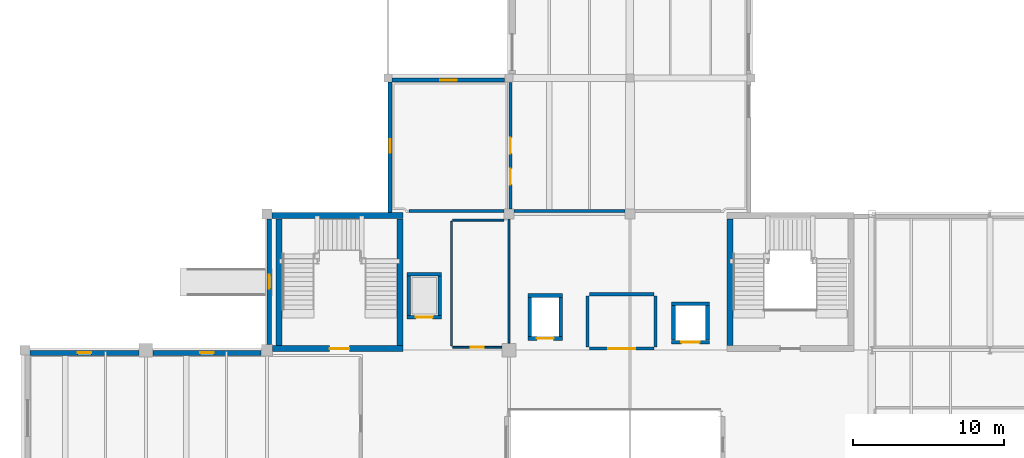
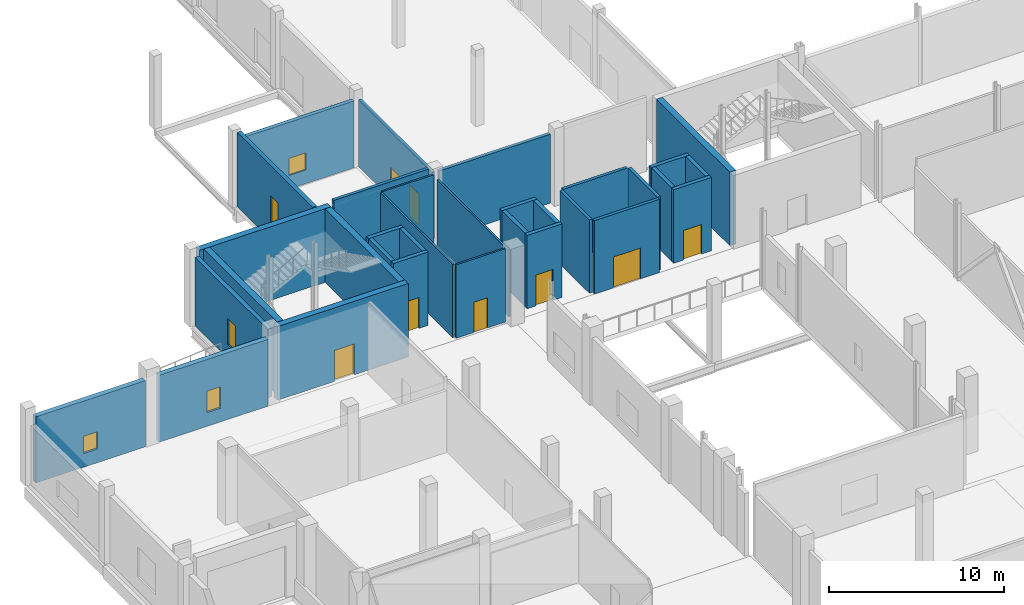
# One storey, part 44 of 57: 33 walls, 8 doors, 5 windows, 13 openings.
"""IFC4 building model written with IfcOpenShell, lengths in metres."""

from ifc_helpers import new_model, si_unit, derived_unit, direction, frame, frame_2d, origin, place, context, subcontext, project, spatial, rectangle, extrude, material, layer, layer_set, type_object, element, fill, save


model = new_model("IFC4")

# Units and contexts
model_context = context("Model", 3, precision=1e-05, world=origin(), true_north=direction((0.0, 1.0)))
body_context = subcontext(model_context, "Body", "Model", "MODEL_VIEW")
ifc_project = project(units=[si_unit("LENGTHUNIT", "METRE"), si_unit("AREAUNIT", "SQUARE_METRE"), si_unit("VOLUMEUNIT", "CUBIC_METRE"), si_unit("PLANEANGLEUNIT", "RADIAN"), si_unit("MASSUNIT", "GRAM", prefix="KILO"), derived_unit("THERMALTRANSMITTANCEUNIT", [(si_unit("POWERUNIT", "WATT"), 1), (si_unit("LENGTHUNIT", "METRE"), -2), (si_unit("THERMODYNAMICTEMPERATUREUNIT", "KELVIN"), -1)])], contexts=[model_context])

# Site, building, storey
site_placement = place(None, origin())
site = spatial("IfcSite", under=ifc_project, at=site_placement, CompositionType="ELEMENT")
building_placement = place(site_placement, origin())
building = spatial("IfcBuilding", under=site, at=building_placement, Name="Nallur Shell Playhouse", CompositionType="ELEMENT")
storey_placement = place(building_placement, origin())
storey = spatial("IfcBuildingStorey", under=building, at=storey_placement, Name="L01", CompositionType="ELEMENT", Elevation=0.0)

# Wall
ifc_material_1 = material(Name="Concrete M45", Category="concrete")
ifc_layer_1 = layer(ifc_material_1, 0.39990234375)
ifc_layer_set_1 = layer_set([ifc_layer_1], Name="Concrete M45")
wall_type_1 = type_object("IfcWallType", Name="WL-CORE-400", PredefinedType="SHEAR", material=ifc_layer_set_1)
wall_1_placement = place(storey_placement, frame((54.60009765625, 82.68994140625, 0.0), z_axis=(0.0, 0.0, 1.0), x_axis=(0.0, -1.0, 0.0)))
element("IfcWall", 1, at=wall_1_placement, inside=storey, type_object=wall_type_1, Name="Joint Core JC-3 shear wall W (L01)", PredefinedType="SHEAR", context=body_context, shape_type="SweptSolid", body=[
    extrude(rectangle(XDim=8.3798828125, YDim=0.39990234375, at=frame_2d((4.18994140625, 0.0))), origin(), (0.0, 0.0, 1.0), 5.1201171875),
])

# Wall, opening, door
wall_2_placement = place(storey_placement, frame((24.3740234375, 74.10009765625, 0.0), z_axis=(0.0, 0.0, 1.0), x_axis=(1.0, 0.0, 0.0)))
wall_2 = element("IfcWall", 2, at=wall_2_placement, inside=storey, type_object=wall_type_1, Name="Joint Core JC-6 shear wall S (L01)", PredefinedType="SHEAR", context=body_context, shape_type="SweptSolid", body=[
    extrude(rectangle(XDim=8.6259765625, YDim=0.39990234375, at=frame_2d((4.31298828125, 0.0))), origin(), (0.0, 0.0, 1.0), 5.1201171875),
])
opening_1_placement = place(wall_2_placement, frame((3.77587890625, 0.0, 0.0)))
opening_1 = element("IfcOpeningElement", 3, at=opening_1_placement, cuts=wall_2, Name="Opening FD-ST1", PredefinedType="OPENING", context=body_context, shape_type="SweptSolid", body=[
    extrude(rectangle(XDim=1.300048828125, YDim=2.14990234375, at=frame_2d((0.64990234375, 1.074951171875))), frame((0.0, 0.2099609375, 0.0), z_axis=(0.0, -1.0, 0.0), x_axis=(1.0, 0.0, 0.0)), (0.0, 0.0, 1.0), 0.419921875),
])
ifc_material_2 = material(Name="Galvanised Steel Fire-Rated Stair Door", Category="steel")
door_type_1 = type_object("IfcDoorType", Name="DR-INT-STAIR-L", OperationType="SINGLE_SWING_LEFT", PredefinedType="DOOR", material=ifc_material_2)
door_1_placement = place(opening_1_placement, origin())
door_1 = element("IfcDoor", 4, at=door_1_placement, inside=storey, type_object=door_type_1, Name="Exit stair ST-06 fire door (L01)", OperationType="SINGLE_SWING_LEFT", OverallHeight=2.14990234375, OverallWidth=1.300048828125, PredefinedType="DOOR", context=body_context, shape_type="SweptSolid", body=[
    extrude(rectangle(XDim=1.300048828125, YDim=2.14990234375, at=frame_2d((0.64990234375, 1.074951171875))), frame((0.0, 0.02490234375, 0.0), z_axis=(0.0, -1.0, 0.0), x_axis=(1.0, 0.0, 0.0)), (0.0, 0.0, 1.0), 0.050048828125),
])
fill(opening_1, door_1)

# Walls
wall_3_placement = place(storey_placement, frame((33.0, 82.89990234375, 0.0), z_axis=(0.0, 0.0, 1.0), x_axis=(-1.0, 0.0, 0.0)))
element("IfcWall", 5, at=wall_3_placement, inside=storey, type_object=wall_type_1, Name="Joint Core JC-6 shear wall N (L01)", PredefinedType="SHEAR", context=body_context, shape_type="SweptSolid", body=[
    extrude(rectangle(XDim=8.676025390625, YDim=0.39990234375, at=frame_2d((4.337890625, 0.0))), origin(), (0.0, 0.0, 1.0), 5.1201171875),
])
for number, where, z_axis, x_axis, name in (
    (6, (32.800048828125, 74.31005859375, 0.0), (0.0, 0.0, 1.0), (0.0, 1.0, 0.0), "Joint Core JC-6 shear wall E (L01)"),
    (7, (24.800048828125, 82.68994140625, 0.0), (0.0, 0.0, 1.0), (0.0, -1.0, 0.0), "Joint Core JC-6 shear wall W (L01)"),
):
    element("IfcWall", number, at=place(storey_placement, frame(where, z_axis=z_axis, x_axis=x_axis)), inside=storey, type_object=wall_type_1, Name=name, PredefinedType="SHEAR", context=body_context, shape_type="SweptSolid", body=[
        extrude(rectangle(XDim=8.3798828125, YDim=0.39990234375, at=frame_2d((4.18994140625, 0.0))), origin(), (0.0, 0.0, 1.0), 5.1201171875),
    ])

# Wall, opening, window
ifc_material_3 = material(Name="Precast concrete M40", Category="concrete")
ifc_layer_2 = layer(ifc_material_3, 0.239990234375)
ifc_layer_set_2 = layer_set([ifc_layer_2], Name="Precast concrete M40")
wall_type_2 = type_object("IfcWallType", Name="WL-EXT-CLAD240", PredefinedType="ELEMENTEDWALL", material=ifc_layer_set_2)
wall_4_placement = place(storey_placement, frame((32.282958984375, 91.860107421875, 0.0), z_axis=(0.0, 0.0, 1.0), x_axis=(1.0, 0.0, 0.0)))
wall_4 = element("IfcWall", 8, at=wall_4_placement, inside=storey, type_object=wall_type_2, Name="L01 exterior wall EW-L01-005", PredefinedType="ELEMENTEDWALL", context=body_context, shape_type="SweptSolid", body=[
    extrude(rectangle(XDim=7.43408203125, YDim=0.239990234375, at=frame_2d((3.717041015625, 0.0))), origin(), (0.0, 0.0, 1.0), 4.655029296875),
])
opening_2_placement = place(wall_4_placement, frame((3.1669921875, 0.0, 0.949951171875)))
opening_2 = element("IfcOpeningElement", 9, at=opening_2_placement, cuts=wall_4, Name="Opening WN-05", PredefinedType="OPENING", context=body_context, shape_type="SweptSolid", body=[
    extrude(rectangle(XDim=1.10009765625, YDim=1.199951171875, at=frame_2d((0.550048828125, 0.60009765625))), frame((0.0, 0.1298828125, 0.0), z_axis=(0.0, -1.0, 0.0), x_axis=(1.0, 0.0, 0.0)), (0.0, 0.0, 1.0), 0.260009765625),
])
ifc_material_4 = material(Name="Thermally Broken Aluminium Acoustic Double-Glazed Window", Category="aluminium")
window_type_1 = type_object("IfcWindowType", Name="WN-TYPE-05", PartitioningType="SINGLE_PANEL", PredefinedType="WINDOW", material=ifc_material_4)
window_1_placement = place(opening_2_placement, origin())
window_1 = element("IfcWindow", 10, at=window_1_placement, inside=storey, type_object=window_type_1, Name="L01 facade module window 005", OverallHeight=1.199951171875, OverallWidth=1.10009765625, PartitioningType="SINGLE_PANEL", PredefinedType="WINDOW", context=body_context, shape_type="SweptSolid", body=[
    extrude(rectangle(XDim=1.10009765625, YDim=1.199951171875, at=frame_2d((0.550048828125, 0.60009765625))), frame((0.0, 0.030029296875, 0.0), z_axis=(0.0, -1.0, 0.0), x_axis=(1.0, 0.0, 0.0)), (0.0, 0.0, 1.0), 0.06005859375),
])
fill(opening_2, window_1)

ifc_layer_3 = layer(ifc_material_3, 0.260009765625)
ifc_layer_set_3 = layer_set([ifc_layer_3], Name="Precast concrete M40")
wall_type_3 = type_object("IfcWallType", Name="WL-EXT-CLAD260", PredefinedType="ELEMENTEDWALL", material=ifc_layer_set_3)
wall_5_placement = place(storey_placement, frame((32.14990234375, 83.10400390625, 0.0), z_axis=(0.0, 0.0, 1.0), x_axis=(0.0, 1.0, 0.0)))
wall_5 = element("IfcWall", 11, at=wall_5_placement, inside=storey, type_object=wall_type_3, Name="L01 exterior wall EW-L01-004", PredefinedType="ELEMENTEDWALL", context=body_context, shape_type="SweptSolid", body=[
    extrude(rectangle(XDim=8.613037109375, YDim=0.260009765625, at=frame_2d((4.306640625, 0.0))), origin(), (0.0, 0.0, 1.0), 5.179931640625),
])
opening_3_placement = place(wall_5_placement, frame((3.948974609375, 0.0, 0.949951171875)))
opening_3 = element("IfcOpeningElement", 12, at=opening_3_placement, cuts=wall_5, Name="Opening WN-04", PredefinedType="OPENING", context=body_context, shape_type="SweptSolid", body=[
    extrude(rectangle(XDim=0.89990234375, YDim=2.10009765625, at=frame_2d((0.449951171875, 1.050048828125))), frame((0.0, 0.14013671875, 0.0), z_axis=(0.0, -1.0, 0.0), x_axis=(1.0, 0.0, 0.0)), (0.0, 0.0, 1.0), 0.280029296875),
])
window_type_2 = type_object("IfcWindowType", Name="WN-TYPE-04", PartitioningType="SINGLE_PANEL", PredefinedType="WINDOW", material=ifc_material_4)
window_2_placement = place(opening_3_placement, origin())
window_2 = element("IfcWindow", 13, at=window_2_placement, inside=storey, type_object=window_type_2, Name="L01 facade module window 004", OverallHeight=2.10009765625, OverallWidth=0.89990234375, PartitioningType="SINGLE_PANEL", PredefinedType="WINDOW", context=body_context, shape_type="SweptSolid", body=[
    extrude(rectangle(XDim=0.89990234375, YDim=2.10009765625, at=frame_2d((0.449951171875, 1.050048828125))), frame((0.0, 0.030029296875, 0.0), z_axis=(0.0, -1.0, 0.0), x_axis=(1.0, 0.0, 0.0)), (0.0, 0.0, 1.0), 0.06005859375),
])
fill(opening_3, window_2)

ifc_material_5 = material(Name="Concrete M30", Category="concrete")
ifc_layer_4 = layer(ifc_material_5, 0.280029296875)
ifc_layer_set_4 = layer_set([ifc_layer_4], Name="Concrete M30")
wall_type_4 = type_object("IfcWallType", Name="WL-EXT-INS280", PredefinedType="STANDARD", material=ifc_layer_set_4)
wall_6_placement = place(storey_placement, frame((24.159912109375, 74.383056640625, 0.0), z_axis=(0.0, 0.0, 1.0), x_axis=(0.0, 1.0, 0.0)))
wall_6 = element("IfcWall", 14, at=wall_6_placement, inside=storey, type_object=wall_type_4, Name="L01 exterior wall EW-L01-003", PredefinedType="STANDARD", context=body_context, shape_type="SweptSolid", body=[
    extrude(rectangle(XDim=8.283935546875, YDim=0.280029296875, at=frame_2d((4.14208984375, 0.0))), origin(), (0.0, 0.0, 1.0), 4.7548828125),
])
opening_4_placement = place(wall_6_placement, frame((3.69189453125, 0.0, 0.949951171875)))
opening_4 = element("IfcOpeningElement", 15, at=opening_4_placement, cuts=wall_6, Name="Opening WN-03", PredefinedType="OPENING", context=body_context, shape_type="SweptSolid", body=[
    extrude(rectangle(XDim=0.89990234375, YDim=1.800048828125, at=frame_2d((0.449951171875, 0.89990234375))), frame((0.0, 0.14990234375, 0.0), z_axis=(0.0, -1.0, 0.0), x_axis=(1.0, 0.0, 0.0)), (0.0, 0.0, 1.0), 0.300048828125),
])
window_type_3 = type_object("IfcWindowType", Name="WN-TYPE-03", PartitioningType="SINGLE_PANEL", PredefinedType="WINDOW", material=ifc_material_4)
window_3_placement = place(opening_4_placement, origin())
window_3 = element("IfcWindow", 16, at=window_3_placement, inside=storey, type_object=window_type_3, Name="L01 facade module window 003", OverallHeight=1.800048828125, OverallWidth=0.89990234375, PartitioningType="SINGLE_PANEL", PredefinedType="WINDOW", context=body_context, shape_type="SweptSolid", body=[
    extrude(rectangle(XDim=0.89990234375, YDim=1.800048828125, at=frame_2d((0.449951171875, 0.89990234375))), frame((0.0, 0.030029296875, 0.0), z_axis=(0.0, -1.0, 0.0), x_axis=(1.0, 0.0, 0.0)), (0.0, 0.0, 1.0), 0.06005859375),
])
fill(opening_4, window_3)

ifc_material_6 = material(Name="Concrete M35", Category="concrete")
ifc_layer_5 = layer(ifc_material_6, 0.320068359375)
ifc_layer_set_5 = layer_set([ifc_layer_5], Name="Concrete M35")
wall_type_5 = type_object("IfcWallType", Name="WL-EXT-RC320", PredefinedType="STANDARD", material=ifc_layer_set_5)
wall_7_placement = place(storey_placement, frame((8.3330078125, 73.820068359375, 0.0), z_axis=(0.0, 0.0, 1.0), x_axis=(1.0, 0.0, 0.0)))
wall_7 = element("IfcWall", 17, at=wall_7_placement, inside=storey, type_object=wall_type_5, Name="L01 exterior wall EW-L01-001", PredefinedType="STANDARD", context=body_context, shape_type="SweptSolid", body=[
    extrude(rectangle(XDim=7.208984375, YDim=0.320068359375, at=frame_2d((3.6044921875, 0.0))), origin(), (0.0, 0.0, 1.0), 4.60498046875),
])
opening_5_placement = place(wall_7_placement, frame((3.154052734375, 0.0, 0.949951171875)))
opening_5 = element("IfcOpeningElement", 18, at=opening_5_placement, cuts=wall_7, Name="Opening WN-01", PredefinedType="OPENING", context=body_context, shape_type="SweptSolid", body=[
    extrude(rectangle(XDim=0.89990234375, YDim=1.199951171875, at=frame_2d((0.449951171875, 0.60009765625))), frame((0.0, 0.169921875, 0.0), z_axis=(0.0, -1.0, 0.0), x_axis=(1.0, 0.0, 0.0)), (0.0, 0.0, 1.0), 0.340087890625),
])
window_type_4 = type_object("IfcWindowType", Name="WN-TYPE-01", PartitioningType="SINGLE_PANEL", PredefinedType="WINDOW", material=ifc_material_4)
window_4_placement = place(opening_5_placement, origin())
window_4 = element("IfcWindow", 19, at=window_4_placement, inside=storey, type_object=window_type_4, Name="L01 facade module window 001", OverallHeight=1.199951171875, OverallWidth=0.89990234375, PartitioningType="SINGLE_PANEL", PredefinedType="WINDOW", context=body_context, shape_type="SweptSolid", body=[
    extrude(rectangle(XDim=0.89990234375, YDim=1.199951171875, at=frame_2d((0.449951171875, 0.60009765625))), frame((0.0, 0.030029296875, 0.0), z_axis=(0.0, -1.0, 0.0), x_axis=(1.0, 0.0, 0.0)), (0.0, 0.0, 1.0), 0.06005859375),
])
fill(opening_5, window_4)

wall_8_placement = place(storey_placement, frame((16.4580078125, 73.820068359375, 0.0), z_axis=(0.0, 0.0, 1.0), x_axis=(1.0, 0.0, 0.0)))
wall_8 = element("IfcWall", 20, at=wall_8_placement, inside=storey, type_object=wall_type_5, Name="L01 exterior wall EW-L01-002", PredefinedType="STANDARD", context=body_context, shape_type="SweptSolid", body=[
    extrude(rectangle(XDim=7.158935546875, YDim=0.320068359375, at=frame_2d((3.57958984375, 0.0))), origin(), (0.0, 0.0, 1.0), 4.655029296875),
])
opening_6_placement = place(wall_8_placement, frame((3.1298828125, 0.0, 0.949951171875)))
opening_6 = element("IfcOpeningElement", 21, at=opening_6_placement, cuts=wall_8, Name="Opening WN-02", PredefinedType="OPENING", context=body_context, shape_type="SweptSolid", body=[
    extrude(rectangle(XDim=0.89990234375, YDim=1.5, at=frame_2d((0.449951171875, 0.75))), frame((0.0, 0.169921875, 0.0), z_axis=(0.0, -1.0, 0.0), x_axis=(1.0, 0.0, 0.0)), (0.0, 0.0, 1.0), 0.340087890625),
])
window_type_5 = type_object("IfcWindowType", Name="WN-TYPE-02", PartitioningType="SINGLE_PANEL", PredefinedType="WINDOW", material=ifc_material_4)
window_5_placement = place(opening_6_placement, origin())
window_5 = element("IfcWindow", 22, at=window_5_placement, inside=storey, type_object=window_type_5, Name="L01 facade module window 002", OverallHeight=1.5, OverallWidth=0.89990234375, PartitioningType="SINGLE_PANEL", PredefinedType="WINDOW", context=body_context, shape_type="SweptSolid", body=[
    extrude(rectangle(XDim=0.89990234375, YDim=1.5, at=frame_2d((0.449951171875, 0.75))), frame((0.0, 0.030029296875, 0.0), z_axis=(0.0, -1.0, 0.0), x_axis=(1.0, 0.0, 0.0)), (0.0, 0.0, 1.0), 0.06005859375),
])
fill(opening_6, window_5)

# Walls
ifc_layer_6 = layer(ifc_material_5, 0.199951171875)
ifc_layer_set_6 = layer_set([ifc_layer_6], Name="Concrete M30")
wall_type_6 = type_object("IfcWallType", Name="WL-PART-AC200", PredefinedType="PARTITIONING", material=ifc_layer_set_6)
wall_9_placement = place(storey_placement, frame((45.199951171875, 74.219970703125, 0.0), z_axis=(0.0, 0.0, 1.0), x_axis=(0.0, 1.0, 0.0)))
element("IfcWall", 23, at=wall_9_placement, inside=storey, type_object=wall_type_6, Name="Firefighting Lobby JC-3 partition IW-L01-0031", PredefinedType="PARTITIONING", context=body_context, shape_type="SweptSolid", body=[
    extrude(rectangle(XDim=3.360107421875, YDim=0.199951171875, at=frame_2d((1.68017578125, 0.0))), origin(), (0.0, 0.0, 1.0), 5.110107421875),
])
wall_10_placement = place(storey_placement, frame((45.320068359375, 77.699951171875, 0.0), z_axis=(0.0, 0.0, 1.0), x_axis=(1.0, 0.0, 0.0)))
element("IfcWall", 24, at=wall_10_placement, inside=storey, type_object=wall_type_6, Name="Firefighting Lobby JC-3 partition IW-L01-0032", PredefinedType="PARTITIONING", context=body_context, shape_type="SweptSolid", body=[
    extrude(rectangle(XDim=4.260009765625, YDim=0.199951171875, at=frame_2d((2.1298828125, 0.0))), origin(), (0.0, 0.0, 1.0), 5.110107421875),
])
wall_11_placement = place(storey_placement, frame((49.699951171875, 77.580078125, 0.0), z_axis=(0.0, 0.0, 1.0), x_axis=(0.0, -1.0, 0.0)))
element("IfcWall", 25, at=wall_11_placement, inside=storey, type_object=wall_type_6, Name="Firefighting Lobby JC-3 partition IW-L01-0033", PredefinedType="PARTITIONING", context=body_context, shape_type="SweptSolid", body=[
    extrude(rectangle(XDim=3.360107421875, YDim=0.199951171875, at=frame_2d((1.68017578125, 0.0))), origin(), (0.0, 0.0, 1.0), 5.110107421875),
])

# Wall, opening, door
wall_12_placement = place(storey_placement, frame((49.580078125, 74.10009765625, 0.0), z_axis=(0.0, 0.0, 1.0), x_axis=(-1.0, 0.0, 0.0)))
wall_12 = element("IfcWall", 26, at=wall_12_placement, inside=storey, type_object=wall_type_6, Name="Firefighting Lobby JC-3 partition IW-L01-0034", PredefinedType="PARTITIONING", context=body_context, shape_type="SweptSolid", body=[
    extrude(rectangle(XDim=4.260009765625, YDim=0.199951171875, at=frame_2d((2.1298828125, 0.0))), origin(), (0.0, 0.0, 1.0), 5.110107421875),
])
opening_7_placement = place(wall_12_placement, frame((1.22998046875, 0.0, 0.0)))
opening_7 = element("IfcOpeningElement", 27, at=opening_7_placement, cuts=wall_12, Name="Opening FD-FL1", PredefinedType="OPENING", context=body_context, shape_type="SweptSolid", body=[
    extrude(rectangle(XDim=1.800048828125, YDim=2.14990234375, at=frame_2d((0.89990234375, 1.074951171875))), frame((0.0, 0.10986328125, 0.0), z_axis=(0.0, -1.0, 0.0), x_axis=(1.0, 0.0, 0.0)), (0.0, 0.0, 1.0), 0.219970703125),
])
ifc_material_7 = material(Name="Firefighting Lobby Smoke-Seal Double Door")
door_type_2 = type_object("IfcDoorType", Name="DR-INT-FFL-DBL", OperationType="DOUBLE_DOOR_SINGLE_SWING", PredefinedType="DOOR", material=ifc_material_7)
door_2_placement = place(opening_7_placement, origin())
door_2 = element("IfcDoor", 28, at=door_2_placement, inside=storey, type_object=door_type_2, Name="Firefighting Lobby JC-3 smoke-seal door (L01)", OperationType="DOUBLE_DOOR_SINGLE_SWING", OverallHeight=2.14990234375, OverallWidth=1.800048828125, PredefinedType="DOOR", context=body_context, shape_type="SweptSolid", body=[
    extrude(rectangle(XDim=1.800048828125, YDim=2.14990234375, at=frame_2d((0.89990234375, 1.074951171875))), frame((0.0, 0.02490234375, 0.0), z_axis=(0.0, -1.0, 0.0), x_axis=(1.0, 0.0, 0.0)), (0.0, 0.0, 1.0), 0.050048828125),
])
fill(opening_7, door_2)

# Wall
wall_13_placement = place(storey_placement, frame((47.659912109375, 83.199951171875, 0.0), z_axis=(0.0, 0.0, 1.0), x_axis=(-1.0, 0.0, 0.0)))
element("IfcWall", 29, at=wall_13_placement, inside=storey, type_object=wall_type_6, Name="Carpentry & Timber Mill Workshop partition IW-L01-0099", PredefinedType="PARTITIONING", context=body_context, shape_type="SweptSolid", body=[
    extrude(rectangle(XDim=7.31982421875, YDim=0.199951171875, at=frame_2d((3.659912109375, 0.0))), origin(), (0.0, 0.0, 1.0), 4.800048828125),
])

# Wall, openings, doors
wall_14_placement = place(storey_placement, frame((40.10009765625, 83.340087890625, 0.0), z_axis=(0.0, 0.0, 1.0), x_axis=(0.0, 1.0, 0.0)))
wall_14 = element("IfcWall", 30, at=wall_14_placement, inside=storey, type_object=wall_type_6, Name="Carpentry & Timber Mill Workshop partition IW-L01-0100", PredefinedType="PARTITIONING", context=body_context, shape_type="SweptSolid", body=[
    extrude(rectangle(XDim=8.369873046875, YDim=0.199951171875, at=frame_2d((4.18505859375, 0.0))), origin(), (0.0, 0.0, 1.0), 4.64990234375),
])
opening_8_placement = place(wall_14_placement, frame((3.659912109375, 0.0, 0.0)))
opening_8 = element("IfcOpeningElement", 31, at=opening_8_placement, cuts=wall_14, Name="Opening ID-01", PredefinedType="OPENING", context=body_context, shape_type="SweptSolid", body=[
    extrude(rectangle(XDim=1.050048828125, YDim=2.14990234375, at=frame_2d((0.52490234375, 1.074951171875))), frame((0.0, 0.10986328125, 0.0), z_axis=(0.0, -1.0, 0.0), x_axis=(1.0, 0.0, 0.0)), (0.0, 0.0, 1.0), 0.219970703125),
])
opening_9_placement = place(wall_14_placement, frame((1.610107421875, 0.0, 0.0)))
opening_9 = element("IfcOpeningElement", 32, at=opening_9_placement, cuts=wall_14, Name="Opening ID-02", PredefinedType="OPENING", context=body_context, shape_type="SweptSolid", body=[
    extrude(rectangle(XDim=1.050048828125, YDim=2.14990234375, at=frame_2d((0.52490234375, 1.074951171875))), frame((0.0, 0.10986328125, 0.0), z_axis=(0.0, -1.0, 0.0), x_axis=(1.0, 0.0, 0.0)), (0.0, 0.0, 1.0), 0.219970703125),
])
ifc_material_8 = material(Name="Solid-Core Engineered Timber Fire Door", Category="wood")
door_type_3 = type_object("IfcDoorType", Name="DR-INT-SGL1050L", OperationType="SINGLE_SWING_LEFT", PredefinedType="DOOR", material=ifc_material_8)
door_3_placement = place(opening_8_placement, origin())
door_3 = element("IfcDoor", 33, at=door_3_placement, inside=storey, type_object=door_type_3, Name="Carpentry & Timber Mill Workshop door 1", OperationType="SINGLE_SWING_LEFT", OverallHeight=2.14990234375, OverallWidth=1.050048828125, PredefinedType="DOOR", context=body_context, shape_type="SweptSolid", body=[
    extrude(rectangle(XDim=1.050048828125, YDim=2.14990234375, at=frame_2d((0.52490234375, 1.074951171875))), frame((0.0, 0.02490234375, 0.0), z_axis=(0.0, -1.0, 0.0), x_axis=(1.0, 0.0, 0.0)), (0.0, 0.0, 1.0), 0.050048828125),
])
fill(opening_8, door_3)
door_type_4 = type_object("IfcDoorType", Name="DR-INT-SGL1050R", OperationType="SINGLE_SWING_RIGHT", PredefinedType="DOOR", material=ifc_material_8)
door_4_placement = place(opening_9_placement, origin())
door_4 = element("IfcDoor", 34, at=door_4_placement, inside=storey, type_object=door_type_4, Name="Scenic Paint Frame & Spray Booth Hall door 1", OperationType="SINGLE_SWING_RIGHT", OverallHeight=2.14990234375, OverallWidth=1.050048828125, PredefinedType="DOOR", context=body_context, shape_type="SweptSolid", body=[
    extrude(rectangle(XDim=1.050048828125, YDim=2.14990234375, at=frame_2d((0.52490234375, 1.074951171875))), frame((0.0, 0.02490234375, 0.0), z_axis=(0.0, -1.0, 0.0), x_axis=(1.0, 0.0, 0.0)), (0.0, 0.0, 1.0), 0.050048828125),
])
fill(opening_9, door_4)

# Walls
wall_15_placement = place(storey_placement, frame((39.659912109375, 83.199951171875, 0.0), z_axis=(0.0, 0.0, 1.0), x_axis=(-1.0, 0.0, 0.0)))
element("IfcWall", 35, at=wall_15_placement, inside=storey, type_object=wall_type_6, Name="Scenic Paint Frame & Spray Booth Hall partition IW-L01-0101", PredefinedType="PARTITIONING", context=body_context, shape_type="SweptSolid", body=[
    extrude(rectangle(XDim=6.25732421875, YDim=0.199951171875, at=frame_2d((3.128662109375, 0.0))), origin(), (0.0, 0.0, 1.0), 5.169921875),
])
ifc_material_9 = material(Name="Concrete M25 Fire Blockwork", Category="masonry")
ifc_layer_7 = layer(ifc_material_9, 0.1201171875)
ifc_layer_set_7 = layer_set([ifc_layer_7], Name="Concrete M25 Fire Blockwork")
wall_type_7 = type_object("IfcWallType", Name="WL-PART-WET120", PredefinedType="PARTITIONING", material=ifc_layer_set_7)
wall_16_placement = place(storey_placement, frame((40.0, 82.6708984375, 0.0), z_axis=(0.0, 0.0, 1.0), x_axis=(0.0, -1.0, 0.0)))
element("IfcWall", 36, at=wall_16_placement, inside=storey, type_object=wall_type_7, Name="Backstage Crew Restrooms & Showers partition IW-L01-0121", PredefinedType="PARTITIONING", context=body_context, shape_type="SweptSolid", body=[
    extrude(rectangle(XDim=8.205810546875, YDim=0.1201171875, at=frame_2d((4.10302734375, 0.0))), origin(), (0.0, 0.0, 1.0), 4.60009765625),
])

# Wall, opening, door
wall_17_placement = place(storey_placement, frame((39.534912109375, 74.199951171875, 0.0), z_axis=(0.0, 0.0, 1.0), x_axis=(-1.0, 0.0, 0.0)))
wall_17 = element("IfcWall", 37, at=wall_17_placement, inside=storey, type_object=wall_type_7, Name="Backstage Crew Restrooms & Showers partition IW-L01-0122", PredefinedType="PARTITIONING", context=body_context, shape_type="SweptSolid", body=[
    extrude(rectangle(XDim=3.2548828125, YDim=0.1201171875, at=frame_2d((1.62744140625, 0.0))), origin(), (0.0, 0.0, 1.0), 5.110107421875),
])
opening_10_placement = place(wall_17_placement, frame((1.18701171875, 0.0, 0.0)))
opening_10 = element("IfcOpeningElement", 38, at=opening_10_placement, cuts=wall_17, Name="Opening WD-01", PredefinedType="OPENING", context=body_context, shape_type="SweptSolid", body=[
    extrude(rectangle(XDim=0.8798828125, YDim=2.10009765625, at=frame_2d((0.43994140625, 1.050048828125))), frame((0.0, 0.070068359375, 0.0), z_axis=(0.0, -1.0, 0.0), x_axis=(1.0, 0.0, 0.0)), (0.0, 0.0, 1.0), 0.14013671875),
])
ifc_material_10 = material(Name="Moisture-Resistant Laminate Restroom Door")
door_type_5 = type_object("IfcDoorType", Name="DR-INT-WC880L", OperationType="SINGLE_SWING_LEFT", PredefinedType="DOOR", material=ifc_material_10)
door_5_placement = place(opening_10_placement, origin())
door_5 = element("IfcDoor", 39, at=door_5_placement, inside=storey, type_object=door_type_5, Name="Backstage Crew Restrooms & Showers door 1", OperationType="SINGLE_SWING_LEFT", OverallHeight=2.10009765625, OverallWidth=0.8798828125, PredefinedType="DOOR", context=body_context, shape_type="SweptSolid", body=[
    extrude(rectangle(XDim=0.8798828125, YDim=2.10009765625, at=frame_2d((0.43994140625, 1.050048828125))), frame((0.0, 0.02490234375, 0.0), z_axis=(0.0, -1.0, 0.0), x_axis=(1.0, 0.0, 0.0)), (0.0, 0.0, 1.0), 0.050048828125),
])
fill(opening_10, door_5)

# Walls
wall_18_placement = place(storey_placement, frame((36.199951171875, 74.280029296875, 0.0), z_axis=(0.0, 0.0, 1.0), x_axis=(0.0, 1.0, 0.0)))
element("IfcWall", 40, at=wall_18_placement, inside=storey, type_object=wall_type_7, Name="Backstage Crew Restrooms & Showers partition IW-L01-0123", PredefinedType="PARTITIONING", context=body_context, shape_type="SweptSolid", body=[
    extrude(rectangle(XDim=8.239990234375, YDim=0.1201171875, at=frame_2d((4.1201171875, 0.0))), origin(), (0.0, 0.0, 1.0), 5.110107421875),
])
wall_19_placement = place(storey_placement, frame((36.280029296875, 82.60009765625, 0.0), z_axis=(0.0, 0.0, 1.0), x_axis=(1.0, 0.0, 0.0)))
element("IfcWall", 41, at=wall_19_placement, inside=storey, type_object=wall_type_7, Name="Backstage Crew Restrooms & Showers partition IW-L01-0124", PredefinedType="PARTITIONING", context=body_context, shape_type="SweptSolid", body=[
    extrude(rectangle(XDim=3.3798828125, YDim=0.1201171875, at=frame_2d((1.68994140625, 0.0))), origin(), (0.0, 0.0, 1.0), 5.110107421875),
])

# Wall, opening, door
ifc_layer_8 = layer(ifc_material_1, 0.25)
ifc_layer_set_8 = layer_set([ifc_layer_8], Name="Concrete M45")
wall_type_8 = type_object("IfcWallType", Name="WL-SHAFT-250", PredefinedType="STANDARD", material=ifc_layer_set_8)
wall_20_placement = place(storey_placement, frame((50.75, 74.52490234375, 0.0), z_axis=(0.0, 0.0, 1.0), x_axis=(1.0, 0.0, 0.0)))
wall_20 = element("IfcWall", 42, at=wall_20_placement, inside=storey, type_object=wall_type_8, Name="Fireman's Lift FL-1 shaft wall south (L01)", PredefinedType="STANDARD", context=body_context, shape_type="SweptSolid", body=[
    extrude(rectangle(XDim=2.5, YDim=0.25, at=frame_2d((1.25, 0.0))), origin(), (0.0, 0.0, 1.0), 5.110107421875),
])
opening_11_placement = place(wall_20_placement, frame((0.64990234375, 0.0, 0.0)))
opening_11 = element("IfcOpeningElement", 43, at=opening_11_placement, cuts=wall_20, Name="Opening LD-F1", PredefinedType="OPENING", context=body_context, shape_type="SweptSolid", body=[
    extrude(rectangle(XDim=1.199951171875, YDim=2.050048828125, at=frame_2d((0.60009765625, 1.02490234375))), frame((0.0, 0.135009765625, 0.0), z_axis=(0.0, -1.0, 0.0), x_axis=(1.0, 0.0, 0.0)), (0.0, 0.0, 1.0), 0.27001953125),
])
ifc_material_11 = material(Name="Fireman Lift Fire-Rated Sliding Landing Door")
door_type_6 = type_object("IfcDoorType", Name="DR-LIFT-FIRE", OperationType="DOUBLE_DOOR_SLIDING", PredefinedType="DOOR", material=ifc_material_11)
door_6_placement = place(opening_11_placement, origin())
door_6 = element("IfcDoor", 44, at=door_6_placement, inside=storey, type_object=door_type_6, Name="Fireman's Lift FL-1 sliding landing door (L01)", OperationType="DOUBLE_DOOR_SLIDING", OverallHeight=2.050048828125, OverallWidth=1.199951171875, PredefinedType="DOOR", context=body_context, shape_type="SweptSolid", body=[
    extrude(rectangle(XDim=1.199951171875, YDim=2.050048828125, at=frame_2d((0.60009765625, 1.02490234375))), frame((0.0, 0.02490234375, 0.0), z_axis=(0.0, -1.0, 0.0), x_axis=(1.0, 0.0, 0.0)), (0.0, 0.0, 1.0), 0.050048828125),
])
fill(opening_11, door_6)

# Walls
wall_21_placement = place(storey_placement, frame((53.25, 77.074951171875, 0.0), z_axis=(0.0, 0.0, 1.0), x_axis=(-1.0, 0.0, 0.0)))
element("IfcWall", 45, at=wall_21_placement, inside=storey, type_object=wall_type_8, Name="Fireman's Lift FL-1 shaft wall north (L01)", PredefinedType="STANDARD", context=body_context, shape_type="SweptSolid", body=[
    extrude(rectangle(XDim=2.5, YDim=0.25, at=frame_2d((1.25, 0.0))), origin(), (0.0, 0.0, 1.0), 5.110107421875),
])
for number, where, z_axis, x_axis, name in (
    (46, (53.125, 74.659912109375, 0.0), (0.0, 0.0, 1.0), (0.0, 1.0, 0.0), "Fireman's Lift FL-1 shaft wall east (L01)"),
    (47, (50.875, 76.93994140625, 0.0), (0.0, 0.0, 1.0), (0.0, -1.0, 0.0), "Fireman's Lift FL-1 shaft wall west (L01)"),
):
    element("IfcWall", number, at=place(storey_placement, frame(where, z_axis=z_axis, x_axis=x_axis)), inside=storey, type_object=wall_type_8, Name=name, PredefinedType="STANDARD", context=body_context, shape_type="SweptSolid", body=[
        extrude(rectangle(XDim=2.280029296875, YDim=0.25, at=frame_2d((1.14013671875, 0.0))), origin(), (0.0, 0.0, 1.0), 5.110107421875),
    ])

# Wall, opening, door
wall_22_placement = place(storey_placement, frame((41.25, 74.77490234375, 0.0), z_axis=(0.0, 0.0, 1.0), x_axis=(1.0, 0.0, 0.0)))
wall_22 = element("IfcWall", 48, at=wall_22_placement, inside=storey, type_object=wall_type_8, Name="Passenger Lift PL-3 shaft wall south (L01)", PredefinedType="STANDARD", context=body_context, shape_type="SweptSolid", body=[
    extrude(rectangle(XDim=2.300048828125, YDim=0.25, at=frame_2d((1.14990234375, 0.0))), origin(), (0.0, 0.0, 1.0), 5.110107421875),
])
opening_12_placement = place(wall_22_placement, frame((0.60009765625, 0.0, 0.0)))
opening_12 = element("IfcOpeningElement", 49, at=opening_12_placement, cuts=wall_22, Name="Opening LD-P1", PredefinedType="OPENING", context=body_context, shape_type="SweptSolid", body=[
    extrude(rectangle(XDim=1.10009765625, YDim=2.14990234375, at=frame_2d((0.550048828125, 1.074951171875))), frame((0.0, 0.135009765625, 0.0), z_axis=(0.0, -1.0, 0.0), x_axis=(1.0, 0.0, 0.0)), (0.0, 0.0, 1.0), 0.27001953125),
])
ifc_material_12 = material(Name="Brushed Stainless Steel Lift Landing Door", Category="steel")
door_type_7 = type_object("IfcDoorType", Name="DR-LIFT-PASS", OperationType="DOUBLE_DOOR_SLIDING", PredefinedType="DOOR", material=ifc_material_12)
door_7_placement = place(opening_12_placement, origin())
door_7 = element("IfcDoor", 50, at=door_7_placement, inside=storey, type_object=door_type_7, Name="Passenger Lift PL-3 sliding landing door (L01)", OperationType="DOUBLE_DOOR_SLIDING", OverallHeight=2.14990234375, OverallWidth=1.10009765625, PredefinedType="DOOR", context=body_context, shape_type="SweptSolid", body=[
    extrude(rectangle(XDim=1.10009765625, YDim=2.14990234375, at=frame_2d((0.550048828125, 1.074951171875))), frame((0.0, 0.02490234375, 0.0), z_axis=(0.0, -1.0, 0.0), x_axis=(1.0, 0.0, 0.0)), (0.0, 0.0, 1.0), 0.050048828125),
])
fill(opening_12, door_7)

# Walls
wall_23_placement = place(storey_placement, frame((43.550048828125, 77.625, 0.0), z_axis=(0.0, 0.0, 1.0), x_axis=(-1.0, 0.0, 0.0)))
element("IfcWall", 51, at=wall_23_placement, inside=storey, type_object=wall_type_8, Name="Passenger Lift PL-3 shaft wall north (L01)", PredefinedType="STANDARD", context=body_context, shape_type="SweptSolid", body=[
    extrude(rectangle(XDim=2.300048828125, YDim=0.25, at=frame_2d((1.14990234375, 0.0))), origin(), (0.0, 0.0, 1.0), 5.110107421875),
])
for number, where, z_axis, x_axis, name in (
    (52, (43.425048828125, 74.909912109375, 0.0), (0.0, 0.0, 1.0), (0.0, 1.0, 0.0), "Passenger Lift PL-3 shaft wall east (L01)"),
    (53, (41.375, 77.489990234375, 0.0), (0.0, 0.0, 1.0), (0.0, -1.0, 0.0), "Passenger Lift PL-3 shaft wall west (L01)"),
):
    element("IfcWall", number, at=place(storey_placement, frame(where, z_axis=z_axis, x_axis=x_axis)), inside=storey, type_object=wall_type_8, Name=name, PredefinedType="STANDARD", context=body_context, shape_type="SweptSolid", body=[
        extrude(rectangle(XDim=2.580078125, YDim=0.25, at=frame_2d((1.2900390625, 0.0))), origin(), (0.0, 0.0, 1.0), 5.110107421875),
    ])

# Wall, opening, door
wall_24_placement = place(storey_placement, frame((33.25, 76.175048828125, 0.0), z_axis=(0.0, 0.0, 1.0), x_axis=(1.0, 0.0, 0.0)))
wall_24 = element("IfcWall", 54, at=wall_24_placement, inside=storey, type_object=wall_type_8, Name="Production Passenger Lift PL-6 shaft wall south (L01)", PredefinedType="STANDARD", context=body_context, shape_type="SweptSolid", body=[
    extrude(rectangle(XDim=2.300048828125, YDim=0.25, at=frame_2d((1.14990234375, 0.0))), origin(), (0.0, 0.0, 1.0), 5.110107421875),
])
opening_13_placement = place(wall_24_placement, frame((0.60009765625, 0.0, 0.0)))
opening_13 = element("IfcOpeningElement", 55, at=opening_13_placement, cuts=wall_24, Name="Opening LD-P1", PredefinedType="OPENING", context=body_context, shape_type="SweptSolid", body=[
    extrude(rectangle(XDim=1.10009765625, YDim=2.14990234375, at=frame_2d((0.550048828125, 1.074951171875))), frame((0.0, 0.135009765625, 0.0), z_axis=(0.0, -1.0, 0.0), x_axis=(1.0, 0.0, 0.0)), (0.0, 0.0, 1.0), 0.27001953125),
])
door_8_placement = place(opening_13_placement, origin())
door_8 = element("IfcDoor", 56, at=door_8_placement, inside=storey, type_object=door_type_7, Name="Production Passenger Lift PL-6 sliding landing door (L01)", OperationType="DOUBLE_DOOR_SLIDING", OverallHeight=2.14990234375, OverallWidth=1.10009765625, PredefinedType="DOOR", context=body_context, shape_type="SweptSolid", body=[
    extrude(rectangle(XDim=1.10009765625, YDim=2.14990234375, at=frame_2d((0.550048828125, 1.074951171875))), frame((0.0, 0.02490234375, 0.0), z_axis=(0.0, -1.0, 0.0), x_axis=(1.0, 0.0, 0.0)), (0.0, 0.0, 1.0), 0.050048828125),
])
fill(opening_13, door_8)

# Walls
wall_25_placement = place(storey_placement, frame((35.550048828125, 79.02490234375, 0.0), z_axis=(0.0, 0.0, 1.0), x_axis=(-1.0, 0.0, 0.0)))
element("IfcWall", 57, at=wall_25_placement, inside=storey, type_object=wall_type_8, Name="Production Passenger Lift PL-6 shaft wall north (L01)", PredefinedType="STANDARD", context=body_context, shape_type="SweptSolid", body=[
    extrude(rectangle(XDim=2.300048828125, YDim=0.25, at=frame_2d((1.14990234375, 0.0))), origin(), (0.0, 0.0, 1.0), 5.110107421875),
])
for number, where, z_axis, x_axis, name in (
    (58, (35.425048828125, 76.31005859375, 0.0), (0.0, 0.0, 1.0), (0.0, 1.0, 0.0), "Production Passenger Lift PL-6 shaft wall east (L01)"),
    (59, (33.375, 78.889892578125, 0.0), (0.0, 0.0, 1.0), (0.0, -1.0, 0.0), "Production Passenger Lift PL-6 shaft wall west (L01)"),
):
    element("IfcWall", number, at=place(storey_placement, frame(where, z_axis=z_axis, x_axis=x_axis)), inside=storey, type_object=wall_type_8, Name=name, PredefinedType="STANDARD", context=body_context, shape_type="SweptSolid", body=[
        extrude(rectangle(XDim=2.579833984375, YDim=0.25, at=frame_2d((1.2900390625, 0.0))), origin(), (0.0, 0.0, 1.0), 5.110107421875),
    ])

save(model, "model.ifc")
